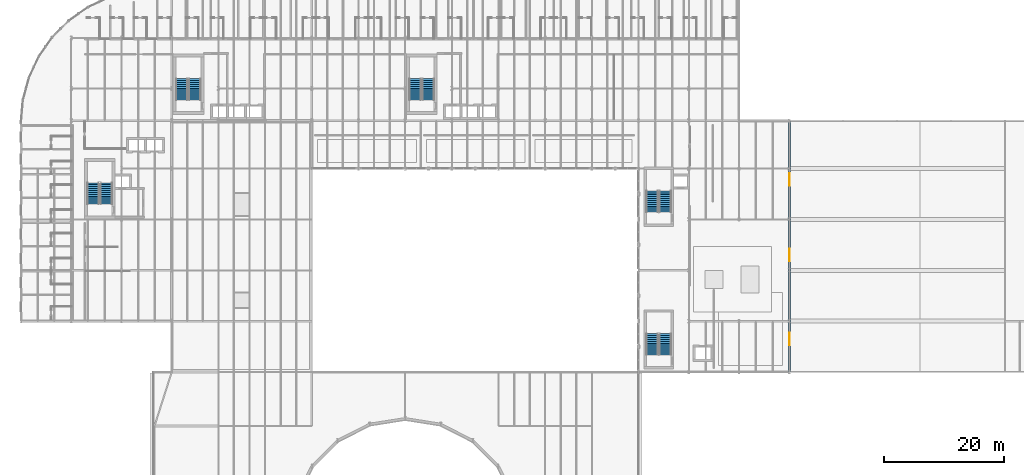
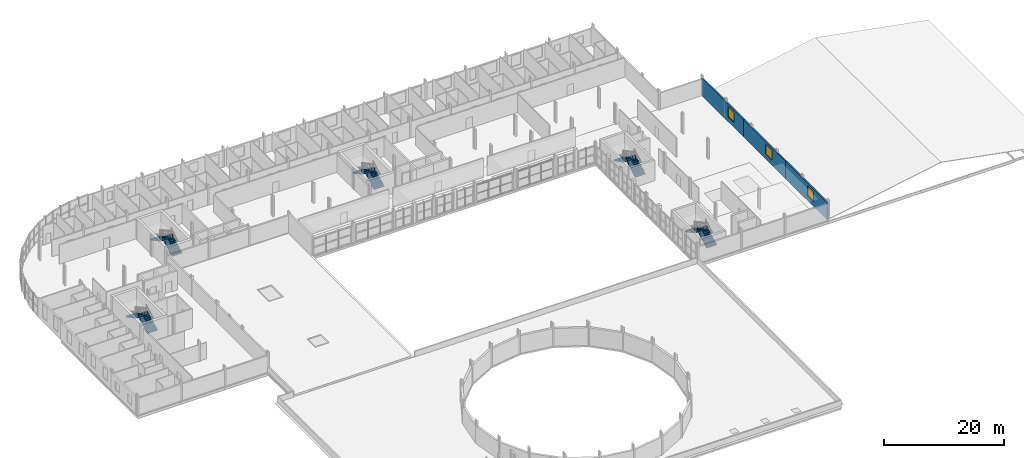
# One storey, part 50 of 58: 10 stair flights, 3 walls, 3 windows, 3 openings, 5 elements without a shape of their own.
"""IFC4 building model written with IfcOpenShell, lengths in metres."""

from ifc_helpers import new_model, si_unit, direction, frame, frame_2d, origin, place, context, subcontext, project, spatial, polyline, rectangle, outline, extrude, material, layer, layer_set, type_object, element, fill, aggregate, save


model = new_model("IFC4")

# Units and contexts
model_context = context("Model", 3, precision=1e-05, world=origin(), true_north=direction((0.0, 1.0)))
body_context = subcontext(model_context, "Body", "Model", "MODEL_VIEW")
ifc_project = project(units=[si_unit("LENGTHUNIT", "METRE"), si_unit("AREAUNIT", "SQUARE_METRE"), si_unit("VOLUMEUNIT", "CUBIC_METRE"), si_unit("PLANEANGLEUNIT", "RADIAN"), si_unit("MASSUNIT", "GRAM", prefix="KILO")], contexts=[model_context])

# Site, building, storey
site_placement = place(None, origin())
site = spatial("IfcSite", under=ifc_project, at=site_placement, CompositionType="ELEMENT")
building_placement = place(site_placement, origin())
building = spatial("IfcBuilding", under=site, at=building_placement, Name="Sefraquen Railside Congress Hotel", CompositionType="ELEMENT")
storey_placement = place(building_placement, frame((0.0, 0.0, 16.199951171875)))
storey = spatial("IfcBuildingStorey", under=building, at=storey_placement, Name="L03", CompositionType="ELEMENT", Elevation=16.199951171875)

# Wall, opening, window
ifc_material_1 = material(Name="Ochre Rabat calcarenite limestone and Concrete C40/50 backing", Category="masonry")
ifc_layer = layer(ifc_material_1, 0.280029296875)
ifc_layer_set = layer_set([ifc_layer], Name="Ochre Rabat calcarenite limestone and Concrete C40/50 backing")
wall_type = type_object("IfcWallType", Name="TW-EW-280", PredefinedType="STANDARD", material=ifc_layer_set)
wall_1_placement = place(storey_placement, frame((128.39990234375, 54.0, 0.0), z_axis=(0.0, 0.0, 1.0), x_axis=(0.0, 1.0, 0.0)))
wall_1 = element("IfcWall", 1, at=wall_1_placement, inside=storey, type_object=wall_type, Name="Meeting Wing L03 east facade wall 1", PredefinedType="STANDARD", context=body_context, shape_type="SweptSolid", body=[
    extrude(rectangle(XDim=14.0, YDim=0.280029296875, at=frame_2d((7.0, 0.0))), origin(), (0.0, 0.0, 1.0), 3.510009765625),
])
opening_1_placement = place(wall_1_placement, frame((4.5, 0.0, 1.0)))
opening_1 = element("IfcOpeningElement", 2, at=opening_1_placement, cuts=wall_1, Name="Opening WN-07", PredefinedType="OPENING", context=body_context, shape_type="SweptSolid", body=[
    extrude(rectangle(XDim=2.10009765625, YDim=2.0, at=frame_2d((1.050048828125, 1.0))), frame((0.0, 0.14990234375, 0.0), z_axis=(0.0, -1.0, 0.0), x_axis=(1.0, 0.0, 0.0)), (0.0, 0.0, 1.0), 0.300048828125),
])
ifc_material_2 = material(Name="Solar-control low-E double glazing in bronze-anodised frame", Category="glass")
window_type = type_object("IfcWindowType", Name="TWN-W-07", PartitioningType="DOUBLE_PANEL_VERTICAL", PredefinedType="WINDOW", material=ifc_material_2)
window_1_placement = place(opening_1_placement, origin())
window_1 = element("IfcWindow", 3, at=window_1_placement, inside=storey, type_object=window_type, Name="Meeting Wing L03 east window 1", OverallHeight=2.0, OverallWidth=2.10009765625, PartitioningType="DOUBLE_PANEL_VERTICAL", PredefinedType="WINDOW", context=body_context, shape_type="SweptSolid", body=[
    extrude(rectangle(XDim=2.10009765625, YDim=2.0, at=frame_2d((1.050048828125, 1.0))), frame((0.0, 0.030029296875, 0.0), z_axis=(0.0, -1.0, 0.0), x_axis=(1.0, 0.0, 0.0)), (0.0, 0.0, 1.0), 0.06005859375),
])
fill(opening_1, window_1)

wall_2_placement = place(storey_placement, frame((128.39990234375, 68.0, 0.0), z_axis=(0.0, 0.0, 1.0), x_axis=(0.0, 1.0, 0.0)))
wall_2 = element("IfcWall", 4, at=wall_2_placement, inside=storey, type_object=wall_type, Name="Meeting Wing L03 east facade wall 2", PredefinedType="STANDARD", context=body_context, shape_type="SweptSolid", body=[
    extrude(rectangle(XDim=14.0, YDim=0.280029296875, at=frame_2d((7.0, 0.0))), origin(), (0.0, 0.0, 1.0), 3.510009765625),
])
opening_2_placement = place(wall_2_placement, frame((4.5, 0.0, 1.0)))
opening_2 = element("IfcOpeningElement", 5, at=opening_2_placement, cuts=wall_2, Name="Opening WN-07", PredefinedType="OPENING", context=body_context, shape_type="SweptSolid", body=[
    extrude(rectangle(XDim=2.10009765625, YDim=2.0, at=frame_2d((1.050048828125, 1.0))), frame((0.0, 0.14990234375, 0.0), z_axis=(0.0, -1.0, 0.0), x_axis=(1.0, 0.0, 0.0)), (0.0, 0.0, 1.0), 0.300048828125),
])
window_2_placement = place(opening_2_placement, origin())
window_2 = element("IfcWindow", 6, at=window_2_placement, inside=storey, type_object=window_type, Name="Meeting Wing L03 east window 2", OverallHeight=2.0, OverallWidth=2.10009765625, PartitioningType="DOUBLE_PANEL_VERTICAL", PredefinedType="WINDOW", context=body_context, shape_type="SweptSolid", body=[
    extrude(rectangle(XDim=2.10009765625, YDim=2.0, at=frame_2d((1.050048828125, 1.0))), frame((0.0, 0.030029296875, 0.0), z_axis=(0.0, -1.0, 0.0), x_axis=(1.0, 0.0, 0.0)), (0.0, 0.0, 1.0), 0.06005859375),
])
fill(opening_2, window_2)

wall_3_placement = place(storey_placement, frame((128.39990234375, 82.0, 0.0), z_axis=(0.0, 0.0, 1.0), x_axis=(0.0, 1.0, 0.0)))
wall_3 = element("IfcWall", 7, at=wall_3_placement, inside=storey, type_object=wall_type, Name="Meeting Wing L03 east facade wall 3", PredefinedType="STANDARD", context=body_context, shape_type="SweptSolid", body=[
    extrude(rectangle(XDim=14.0, YDim=0.280029296875, at=frame_2d((7.0, 0.0))), origin(), (0.0, 0.0, 1.0), 3.510009765625),
])
opening_3_placement = place(wall_3_placement, frame((3.10009765625, 0.0, 1.0)))
opening_3 = element("IfcOpeningElement", 8, at=opening_3_placement, cuts=wall_3, Name="Opening WN-07", PredefinedType="OPENING", context=body_context, shape_type="SweptSolid", body=[
    extrude(rectangle(XDim=2.10009765625, YDim=2.0, at=frame_2d((1.050048828125, 1.0))), frame((0.0, 0.14990234375, 0.0), z_axis=(0.0, -1.0, 0.0), x_axis=(1.0, 0.0, 0.0)), (0.0, 0.0, 1.0), 0.300048828125),
])
window_3_placement = place(opening_3_placement, origin())
window_3 = element("IfcWindow", 9, at=window_3_placement, inside=storey, type_object=window_type, Name="Meeting Wing L03 east window 3", OverallHeight=2.0, OverallWidth=2.10009765625, PartitioningType="DOUBLE_PANEL_VERTICAL", PredefinedType="WINDOW", context=body_context, shape_type="SweptSolid", body=[
    extrude(rectangle(XDim=2.10009765625, YDim=2.0, at=frame_2d((1.050048828125, 1.0))), frame((0.0, 0.030029296875, 0.0), z_axis=(0.0, -1.0, 0.0), x_axis=(1.0, 0.0, 0.0)), (0.0, 0.0, 1.0), 0.06005859375),
])
fill(opening_3, window_3)

# Stair, stair flights
ifc_material_3 = material(Name="Concrete C40/50", Category="concrete")
stair_type_1 = type_object("IfcStairType", Name="TST-DOG-198-360", PredefinedType="HALF_TURN_STAIR", material=ifc_material_3)
stair_1_placement = place(storey_placement, origin())
stair_1 = element("IfcStair", 10, at=stair_1_placement, inside=storey, type_object=stair_type_1, Name="L03 Pressurized escape stair ST-H01", PredefinedType="HALF_TURN_STAIR")
stair_flight_type_1 = type_object("IfcStairFlightType", Name="TSF-FLT-198-360", PredefinedType="STRAIGHT", material=ifc_material_3)
stair_flight_1_placement = place(storey_placement, frame((14.27001953125, 82.080078125, 0.0), z_axis=(0.0, 0.0, 1.0), x_axis=(0.0, 1.0, 0.0)))
stair_flight_1 = element("IfcStairFlight", 11, at=stair_flight_1_placement, type_object=stair_flight_type_1, Name="ST-H01 flight 1", NumberOfRisers=12, NumberOfTreads=11, PredefinedType="STRAIGHT", RiserHeight=0.175, TreadLength=0.322, context=body_context, shape_type="SweptSolid", body=[
    extrude(outline(polyline([(0.0, 0.0), (0.0, 0.175048828125), (0.322021484375, 0.175048828125), (0.322021484375, 0.35009765625), (0.64404296875, 0.35009765625), (0.64404296875, 0.52490234375), (0.966064453125, 0.52490234375), (0.966064453125, 0.699951171875), (1.2880859375, 0.699951171875), (1.2880859375, 0.875), (1.610107421875, 0.875), (1.610107421875, 1.050048828125), (1.931884765625, 1.050048828125), (1.931884765625, 1.22509765625), (2.25390625, 1.22509765625), (2.25390625, 1.39990234375), (2.575927734375, 1.39990234375), (2.575927734375, 1.574951171875), (2.89794921875, 1.574951171875), (2.89794921875, 1.75), (3.219970703125, 1.75), (3.219970703125, 1.925048828125), (3.5419921875, 1.925048828125), (3.5419921875, 2.10009765625), (3.5419921875, 1.75439453125), (0.31396484375, 0.0), (0.0, 0.0)])), frame((0.0, 0.989990234375, 0.0), z_axis=(0.0, -1.0, 0.0), x_axis=(1.0, 0.0, 0.0)), (0.0, 0.0, 1.0), 1.97998046875),
])
stair_flight_2_placement = place(storey_placement, frame((12.090087890625, 85.6220703125, 2.10009765625), z_axis=(0.0, 0.0, 1.0), x_axis=(0.0, -1.0, 0.0)))
stair_flight_2 = element("IfcStairFlight", 12, at=stair_flight_2_placement, type_object=stair_flight_type_1, Name="ST-H01 flight 2", NumberOfRisers=12, NumberOfTreads=11, PredefinedType="STRAIGHT", RiserHeight=0.175, TreadLength=0.322, context=body_context, shape_type="SweptSolid", body=[
    extrude(outline(polyline([(0.0, 0.0), (0.0, 0.175048828125), (0.322021484375, 0.175048828125), (0.322021484375, 0.35009765625), (0.64404296875, 0.35009765625), (0.64404296875, 0.52490234375), (0.966064453125, 0.52490234375), (0.966064453125, 0.699951171875), (1.2880859375, 0.699951171875), (1.2880859375, 0.875), (1.610107421875, 0.875), (1.610107421875, 1.050048828125), (1.931884765625, 1.050048828125), (1.931884765625, 1.22509765625), (2.25390625, 1.22509765625), (2.25390625, 1.39990234375), (2.575927734375, 1.39990234375), (2.575927734375, 1.574951171875), (2.89794921875, 1.574951171875), (2.89794921875, 1.75), (3.219970703125, 1.75), (3.219970703125, 1.925048828125), (3.5419921875, 1.925048828125), (3.5419921875, 2.10009765625), (3.5419921875, 1.75439453125), (0.31396484375, 0.0), (0.0, 0.0)])), frame((0.0, 0.989990234375, 0.0), z_axis=(0.0, -1.0, 0.0), x_axis=(1.0, 0.0, 0.0)), (0.0, 0.0, 1.0), 1.97998046875),
])
aggregate(stair_1, [stair_flight_1, stair_flight_2])

stair_type_2 = type_object("IfcStairType", Name="TST-DOG-198-420", PredefinedType="HALF_TURN_STAIR", material=ifc_material_3)
stair_2_placement = place(storey_placement, origin())
stair_2 = element("IfcStair", 13, at=stair_2_placement, inside=storey, type_object=stair_type_2, Name="L03 Pressurized escape stair ST-H02", PredefinedType="HALF_TURN_STAIR")
stair_flight_type_2 = type_object("IfcStairFlightType", Name="TSF-FLT-198-420", PredefinedType="STRAIGHT", material=ifc_material_3)
stair_flight_3_placement = place(storey_placement, frame((29.070068359375, 99.47998046875, 0.0), z_axis=(0.0, 0.0, 1.0), x_axis=(0.0, 1.0, 0.0)))
stair_flight_3 = element("IfcStairFlight", 14, at=stair_flight_3_placement, type_object=stair_flight_type_2, Name="ST-H02 flight 1", NumberOfRisers=12, NumberOfTreads=11, PredefinedType="STRAIGHT", RiserHeight=0.175, TreadLength=0.322, context=body_context, shape_type="SweptSolid", body=[
    extrude(outline(polyline([(0.0, 0.0), (0.0, 0.175048828125), (0.322021484375, 0.175048828125), (0.322021484375, 0.35009765625), (0.64404296875, 0.35009765625), (0.64404296875, 0.52490234375), (0.966064453125, 0.52490234375), (0.966064453125, 0.699951171875), (1.2880859375, 0.699951171875), (1.2880859375, 0.875), (1.610107421875, 0.875), (1.610107421875, 1.050048828125), (1.931884765625, 1.050048828125), (1.931884765625, 1.22509765625), (2.25390625, 1.22509765625), (2.25390625, 1.39990234375), (2.575927734375, 1.39990234375), (2.575927734375, 1.574951171875), (2.89794921875, 1.574951171875), (2.89794921875, 1.75), (3.219970703125, 1.75), (3.219970703125, 1.925048828125), (3.5419921875, 1.925048828125), (3.5419921875, 2.10009765625), (3.5419921875, 1.75439453125), (0.31396484375, 0.0), (0.0, 0.0)])), frame((0.0, 0.989990234375, 0.0), z_axis=(0.0, -1.0, 0.0), x_axis=(1.0, 0.0, 0.0)), (0.0, 0.0, 1.0), 1.97998046875),
])
stair_flight_4_placement = place(storey_placement, frame((26.889892578125, 103.02197265625, 2.10009765625), z_axis=(0.0, 0.0, 1.0), x_axis=(0.0, -1.0, 0.0)))
stair_flight_4 = element("IfcStairFlight", 15, at=stair_flight_4_placement, type_object=stair_flight_type_2, Name="ST-H02 flight 2", NumberOfRisers=12, NumberOfTreads=11, PredefinedType="STRAIGHT", RiserHeight=0.175, TreadLength=0.322, context=body_context, shape_type="SweptSolid", body=[
    extrude(outline(polyline([(0.0, 0.0), (0.0, 0.175048828125), (0.322021484375, 0.175048828125), (0.322021484375, 0.35009765625), (0.64404296875, 0.35009765625), (0.64404296875, 0.52490234375), (0.966064453125, 0.52490234375), (0.966064453125, 0.699951171875), (1.2880859375, 0.699951171875), (1.2880859375, 0.875), (1.610107421875, 0.875), (1.610107421875, 1.050048828125), (1.931884765625, 1.050048828125), (1.931884765625, 1.22509765625), (2.25390625, 1.22509765625), (2.25390625, 1.39990234375), (2.575927734375, 1.39990234375), (2.575927734375, 1.574951171875), (2.89794921875, 1.574951171875), (2.89794921875, 1.75), (3.219970703125, 1.75), (3.219970703125, 1.925048828125), (3.5419921875, 1.925048828125), (3.5419921875, 2.10009765625), (3.5419921875, 1.75439453125), (0.31396484375, 0.0), (0.0, 0.0)])), frame((0.0, 0.989990234375, 0.0), z_axis=(0.0, -1.0, 0.0), x_axis=(1.0, 0.0, 0.0)), (0.0, 0.0, 1.0), 1.97998046875),
])
aggregate(stair_2, [stair_flight_3, stair_flight_4])

stair_type_3 = type_object("IfcStairType", Name="TST-DOG-198-450", PredefinedType="HALF_TURN_STAIR", material=ifc_material_3)
stair_3_placement = place(storey_placement, origin())
stair_3 = element("IfcStair", 16, at=stair_3_placement, inside=storey, type_object=stair_type_3, Name="L03 Pressurized escape stair ST-H03", PredefinedType="HALF_TURN_STAIR")
stair_flight_type_3 = type_object("IfcStairFlightType", Name="TSF-FLT-198-450", PredefinedType="STRAIGHT", material=ifc_material_3)
stair_flight_5_placement = place(storey_placement, frame((68.070068359375, 99.47998046875, 0.0), z_axis=(0.0, 0.0, 1.0), x_axis=(0.0, 1.0, 0.0)))
stair_flight_5 = element("IfcStairFlight", 17, at=stair_flight_5_placement, type_object=stair_flight_type_3, Name="ST-H03 flight 1", NumberOfRisers=12, NumberOfTreads=11, PredefinedType="STRAIGHT", RiserHeight=0.175, TreadLength=0.322, context=body_context, shape_type="SweptSolid", body=[
    extrude(outline(polyline([(0.0, 0.0), (0.0, 0.175048828125), (0.322021484375, 0.175048828125), (0.322021484375, 0.35009765625), (0.64404296875, 0.35009765625), (0.64404296875, 0.52490234375), (0.966064453125, 0.52490234375), (0.966064453125, 0.699951171875), (1.2880859375, 0.699951171875), (1.2880859375, 0.875), (1.610107421875, 0.875), (1.610107421875, 1.050048828125), (1.931884765625, 1.050048828125), (1.931884765625, 1.22509765625), (2.25390625, 1.22509765625), (2.25390625, 1.39990234375), (2.575927734375, 1.39990234375), (2.575927734375, 1.574951171875), (2.89794921875, 1.574951171875), (2.89794921875, 1.75), (3.219970703125, 1.75), (3.219970703125, 1.925048828125), (3.5419921875, 1.925048828125), (3.5419921875, 2.10009765625), (3.5419921875, 1.75439453125), (0.31396484375, 0.0), (0.0, 0.0)])), frame((0.0, 0.989990234375, 0.0), z_axis=(0.0, -1.0, 0.0), x_axis=(1.0, 0.0, 0.0)), (0.0, 0.0, 1.0), 1.97998046875),
])
stair_flight_6_placement = place(storey_placement, frame((65.889892578125, 103.02197265625, 2.10009765625), z_axis=(0.0, 0.0, 1.0), x_axis=(0.0, -1.0, 0.0)))
stair_flight_6 = element("IfcStairFlight", 18, at=stair_flight_6_placement, type_object=stair_flight_type_3, Name="ST-H03 flight 2", NumberOfRisers=12, NumberOfTreads=11, PredefinedType="STRAIGHT", RiserHeight=0.175, TreadLength=0.322, context=body_context, shape_type="SweptSolid", body=[
    extrude(outline(polyline([(0.0, 0.0), (0.0, 0.175048828125), (0.322021484375, 0.175048828125), (0.322021484375, 0.35009765625), (0.64404296875, 0.35009765625), (0.64404296875, 0.52490234375), (0.966064453125, 0.52490234375), (0.966064453125, 0.699951171875), (1.2880859375, 0.699951171875), (1.2880859375, 0.875), (1.610107421875, 0.875), (1.610107421875, 1.050048828125), (1.931884765625, 1.050048828125), (1.931884765625, 1.22509765625), (2.25390625, 1.22509765625), (2.25390625, 1.39990234375), (2.575927734375, 1.39990234375), (2.575927734375, 1.574951171875), (2.89794921875, 1.574951171875), (2.89794921875, 1.75), (3.219970703125, 1.75), (3.219970703125, 1.925048828125), (3.5419921875, 1.925048828125), (3.5419921875, 2.10009765625), (3.5419921875, 1.75439453125), (0.31396484375, 0.0), (0.0, 0.0)])), frame((0.0, 0.989990234375, 0.0), z_axis=(0.0, -1.0, 0.0), x_axis=(1.0, 0.0, 0.0)), (0.0, 0.0, 1.0), 1.97998046875),
])
aggregate(stair_3, [stair_flight_5, stair_flight_6])

stair_type_4 = type_object("IfcStairType", Name="TST-DOG-198-480", PredefinedType="HALF_TURN_STAIR", material=ifc_material_3)
stair_4_placement = place(storey_placement, origin())
stair_4 = element("IfcStair", 19, at=stair_4_placement, inside=storey, type_object=stair_type_4, Name="L03 Pressurized escape stair ST-M01", PredefinedType="HALF_TURN_STAIR")
stair_flight_type_4 = type_object("IfcStairFlightType", Name="TSF-FLT-198-480", PredefinedType="STRAIGHT", material=ifc_material_3)
stair_flight_7_placement = place(storey_placement, frame((107.669921875, 80.72998046875, 0.0), z_axis=(0.0, 0.0, 1.0), x_axis=(0.0, 1.0, 0.0)))
stair_flight_7 = element("IfcStairFlight", 20, at=stair_flight_7_placement, type_object=stair_flight_type_4, Name="ST-M01 flight 1", NumberOfRisers=12, NumberOfTreads=11, PredefinedType="STRAIGHT", RiserHeight=0.175, TreadLength=0.322, context=body_context, shape_type="SweptSolid", body=[
    extrude(outline(polyline([(0.0, 0.0), (0.0, 0.175048828125), (0.322021484375, 0.175048828125), (0.322021484375, 0.35009765625), (0.64404296875, 0.35009765625), (0.64404296875, 0.52490234375), (0.966064453125, 0.52490234375), (0.966064453125, 0.699951171875), (1.2880859375, 0.699951171875), (1.2880859375, 0.875), (1.610107421875, 0.875), (1.610107421875, 1.050048828125), (1.931884765625, 1.050048828125), (1.931884765625, 1.22509765625), (2.25390625, 1.22509765625), (2.25390625, 1.39990234375), (2.575927734375, 1.39990234375), (2.575927734375, 1.574951171875), (2.89794921875, 1.574951171875), (2.89794921875, 1.75), (3.219970703125, 1.75), (3.219970703125, 1.925048828125), (3.5419921875, 1.925048828125), (3.5419921875, 2.10009765625), (3.5419921875, 1.75439453125), (0.31396484375, 0.0), (0.0, 0.0)])), frame((0.0, 0.989990234375, 0.0), z_axis=(0.0, -1.0, 0.0), x_axis=(1.0, 0.0, 0.0)), (0.0, 0.0, 1.0), 1.97998046875),
])
stair_flight_8_placement = place(storey_placement, frame((105.489990234375, 84.27197265625, 2.10009765625), z_axis=(0.0, 0.0, 1.0), x_axis=(0.0, -1.0, 0.0)))
stair_flight_8 = element("IfcStairFlight", 21, at=stair_flight_8_placement, type_object=stair_flight_type_4, Name="ST-M01 flight 2", NumberOfRisers=12, NumberOfTreads=11, PredefinedType="STRAIGHT", RiserHeight=0.175, TreadLength=0.322, context=body_context, shape_type="SweptSolid", body=[
    extrude(outline(polyline([(0.0, 0.0), (0.0, 0.175048828125), (0.322021484375, 0.175048828125), (0.322021484375, 0.35009765625), (0.64404296875, 0.35009765625), (0.64404296875, 0.52490234375), (0.966064453125, 0.52490234375), (0.966064453125, 0.699951171875), (1.2880859375, 0.699951171875), (1.2880859375, 0.875), (1.610107421875, 0.875), (1.610107421875, 1.050048828125), (1.931884765625, 1.050048828125), (1.931884765625, 1.22509765625), (2.25390625, 1.22509765625), (2.25390625, 1.39990234375), (2.575927734375, 1.39990234375), (2.575927734375, 1.574951171875), (2.89794921875, 1.574951171875), (2.89794921875, 1.75), (3.219970703125, 1.75), (3.219970703125, 1.925048828125), (3.5419921875, 1.925048828125), (3.5419921875, 2.10009765625), (3.5419921875, 1.75439453125), (0.31396484375, 0.0), (0.0, 0.0)])), frame((0.0, 0.989990234375, 0.0), z_axis=(0.0, -1.0, 0.0), x_axis=(1.0, 0.0, 0.0)), (0.0, 0.0, 1.0), 1.97998046875),
])
aggregate(stair_4, [stair_flight_7, stair_flight_8])

stair_type_5 = type_object("IfcStairType", Name="TST-DOG-198-540", PredefinedType="HALF_TURN_STAIR", material=ifc_material_3)
stair_5_placement = place(storey_placement, origin())
stair_5 = element("IfcStair", 22, at=stair_5_placement, inside=storey, type_object=stair_type_5, Name="L03 Pressurized escape stair ST-M02", PredefinedType="HALF_TURN_STAIR")
stair_flight_type_5 = type_object("IfcStairFlightType", Name="TSF-FLT-198-540", PredefinedType="STRAIGHT", material=ifc_material_3)
stair_flight_9_placement = place(storey_placement, frame((107.669921875, 56.8798828125, 0.0), z_axis=(0.0, 0.0, 1.0), x_axis=(0.0, 1.0, 0.0)))
stair_flight_9 = element("IfcStairFlight", 23, at=stair_flight_9_placement, type_object=stair_flight_type_5, Name="ST-M02 flight 1", NumberOfRisers=12, NumberOfTreads=11, PredefinedType="STRAIGHT", RiserHeight=0.175, TreadLength=0.322, context=body_context, shape_type="SweptSolid", body=[
    extrude(outline(polyline([(0.0, 0.0), (0.0, 0.175048828125), (0.322021484375, 0.175048828125), (0.322021484375, 0.35009765625), (0.64404296875, 0.35009765625), (0.64404296875, 0.52490234375), (0.966064453125, 0.52490234375), (0.966064453125, 0.699951171875), (1.2880859375, 0.699951171875), (1.2880859375, 0.875), (1.610107421875, 0.875), (1.610107421875, 1.050048828125), (1.931884765625, 1.050048828125), (1.931884765625, 1.22509765625), (2.25390625, 1.22509765625), (2.25390625, 1.39990234375), (2.575927734375, 1.39990234375), (2.575927734375, 1.574951171875), (2.89794921875, 1.574951171875), (2.89794921875, 1.75), (3.219970703125, 1.75), (3.219970703125, 1.925048828125), (3.5419921875, 1.925048828125), (3.5419921875, 2.10009765625), (3.5419921875, 1.75439453125), (0.31396484375, 0.0), (0.0, 0.0)])), frame((0.0, 0.989990234375, 0.0), z_axis=(0.0, -1.0, 0.0), x_axis=(1.0, 0.0, 0.0)), (0.0, 0.0, 1.0), 1.97998046875),
])
stair_flight_10_placement = place(storey_placement, frame((105.489990234375, 60.422119140625, 2.10009765625), z_axis=(0.0, 0.0, 1.0), x_axis=(0.0, -1.0, 0.0)))
stair_flight_10 = element("IfcStairFlight", 24, at=stair_flight_10_placement, type_object=stair_flight_type_5, Name="ST-M02 flight 2", NumberOfRisers=12, NumberOfTreads=11, PredefinedType="STRAIGHT", RiserHeight=0.175, TreadLength=0.322, context=body_context, shape_type="SweptSolid", body=[
    extrude(outline(polyline([(0.0, 0.0), (0.0, 0.175048828125), (0.322021484375, 0.175048828125), (0.322021484375, 0.35009765625), (0.64404296875, 0.35009765625), (0.64404296875, 0.52490234375), (0.966064453125, 0.52490234375), (0.966064453125, 0.699951171875), (1.2880859375, 0.699951171875), (1.2880859375, 0.875), (1.610107421875, 0.875), (1.610107421875, 1.050048828125), (1.931884765625, 1.050048828125), (1.931884765625, 1.22509765625), (2.25390625, 1.22509765625), (2.25390625, 1.39990234375), (2.575927734375, 1.39990234375), (2.575927734375, 1.574951171875), (2.89794921875, 1.574951171875), (2.89794921875, 1.75), (3.219970703125, 1.75), (3.219970703125, 1.925048828125), (3.5419921875, 1.925048828125), (3.5419921875, 2.10009765625), (3.5419921875, 1.75439453125), (0.31396484375, 0.0), (0.0, 0.0)])), frame((0.0, 0.989990234375, 0.0), z_axis=(0.0, -1.0, 0.0), x_axis=(1.0, 0.0, 0.0)), (0.0, 0.0, 1.0), 1.97998046875),
])
aggregate(stair_5, [stair_flight_9, stair_flight_10])

save(model, "model.ifc")
